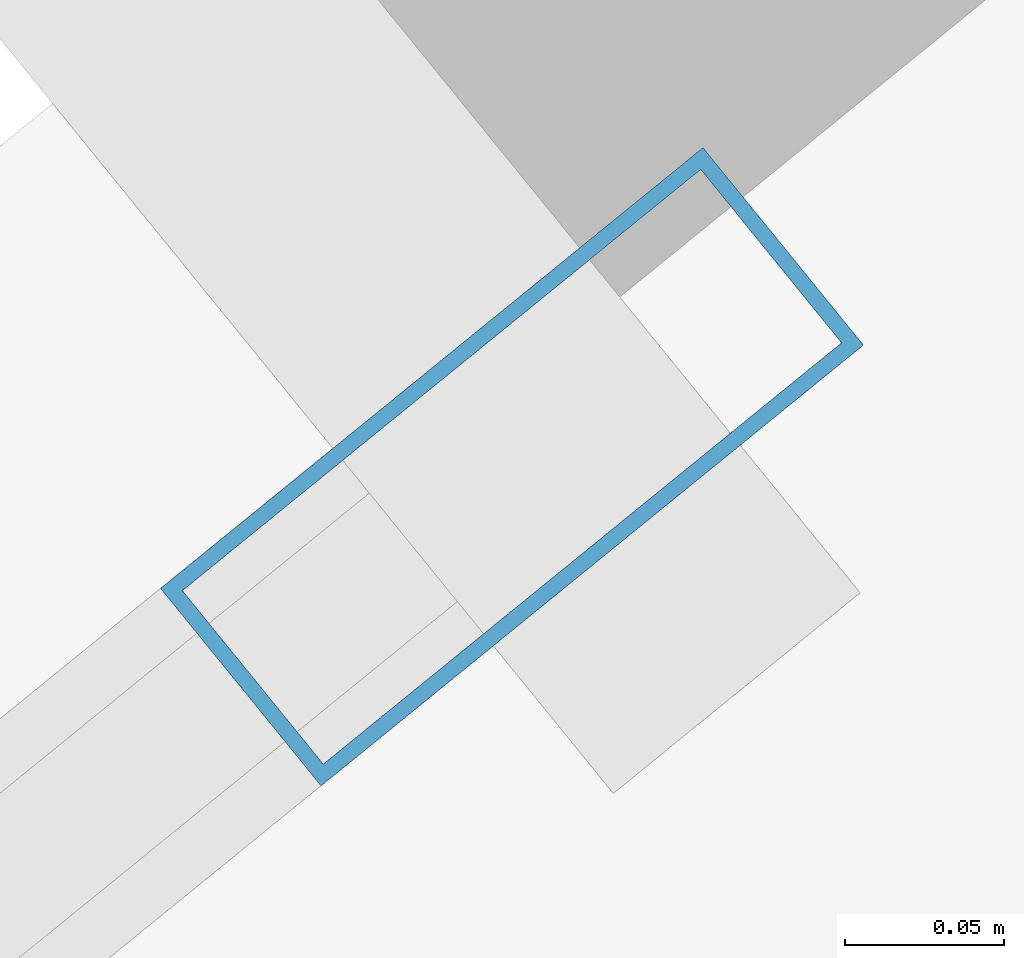
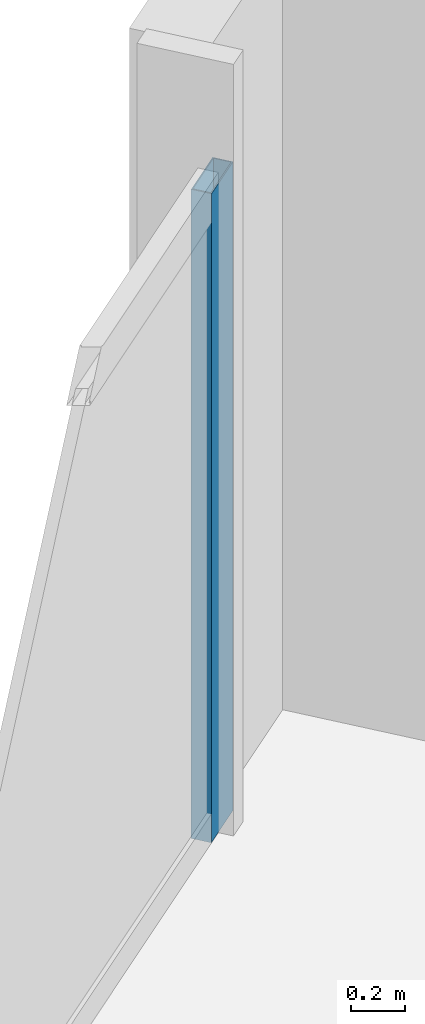
# One storey, part 26 of 36: 1 member, 1 element without a shape of its own.
"""IFC4 building model written with IfcOpenShell, lengths in metres."""

from ifc_helpers import new_model, si_unit, direction, frame, origin, origin_2d, place, context, subcontext, project, spatial, hollow_rectangle, extrude, material, material_profile, profile_set, type_object, element, aggregate, save


model = new_model("IFC4")

# Units and contexts
model_context = context("Model", 3, precision=1e-05, world=origin(), true_north=direction((0.0, 1.0)))
body_context = subcontext(model_context, "Body", "Model", "MODEL_VIEW")
ifc_project = project(units=[si_unit("LENGTHUNIT", "METRE"), si_unit("AREAUNIT", "SQUARE_METRE"), si_unit("VOLUMEUNIT", "CUBIC_METRE"), si_unit("PLANEANGLEUNIT", "RADIAN"), si_unit("MASSUNIT", "GRAM", prefix="KILO")], contexts=[model_context])

# Site, building, storey
site_placement = place(None, origin())
site = spatial("IfcSite", under=ifc_project, at=site_placement, CompositionType="ELEMENT")
building_placement = place(site_placement, origin())
building = spatial("IfcBuilding", under=site, at=building_placement, Name="Haldenkirk Collegiate Tower", CompositionType="ELEMENT")
storey_placement = place(building_placement, frame((0.0, 0.0, 159.449951171875)))
storey = spatial("IfcBuildingStorey", under=building, at=storey_placement, Name="L39", CompositionType="ELEMENT", Elevation=159.449951171875)

# Curtain wall, member
ifc_material = material(Name="Anodised architectural bronze aluminium", Category="aluminium")
curtain_wall_type = type_object("IfcCurtainWallType", Name="CW-SYS1-CONVEX-LOW", PredefinedType="USERDEFINED", material=ifc_material)
curtain_wall_placement = place(storey_placement, origin())
curtain_wall = element("IfcCurtainWall", 1, at=curtain_wall_placement, inside=storey, type_object=curtain_wall_type, Name="L39 Lower tower convex bronze-framed unitised curtain wall", ObjectType="UNITISED CURTAIN WALL", PredefinedType="USERDEFINED")
ifc_material_profile = material_profile(ifc_material, hollow_rectangle(XDim=0.080078125, YDim=0.219970703125, WallThickness=0.0048828125, at=origin_2d()), Name="CW-MUL-1A")
ifc_profile_set = profile_set([ifc_material_profile], Name="Anodised architectural bronze aluminium")
member_type = type_object("IfcMemberType", Name="CW-MUL-1A", PredefinedType="MULLION", material=ifc_profile_set)
member_placement = place(storey_placement, frame((36.826171875, 57.107666015625, 0.0), z_axis=(0.0, 0.0, 1.0), x_axis=(-0.630673850131, 0.776047997717, 0.0)))
member = element("IfcMember", 2, at=member_placement, type_object=member_type, Name="CW-1A mullion 5", PredefinedType="MULLION", context=body_context, shape_type="SweptSolid", body=[
    extrude(hollow_rectangle(XDim=0.080078125, YDim=0.219970703125, WallThickness=0.0048828125, at=origin_2d()), origin(), (0.0, 0.0, 1.0), 2.9111328125),
])
aggregate(curtain_wall, [member])

save(model, "model.ifc")
